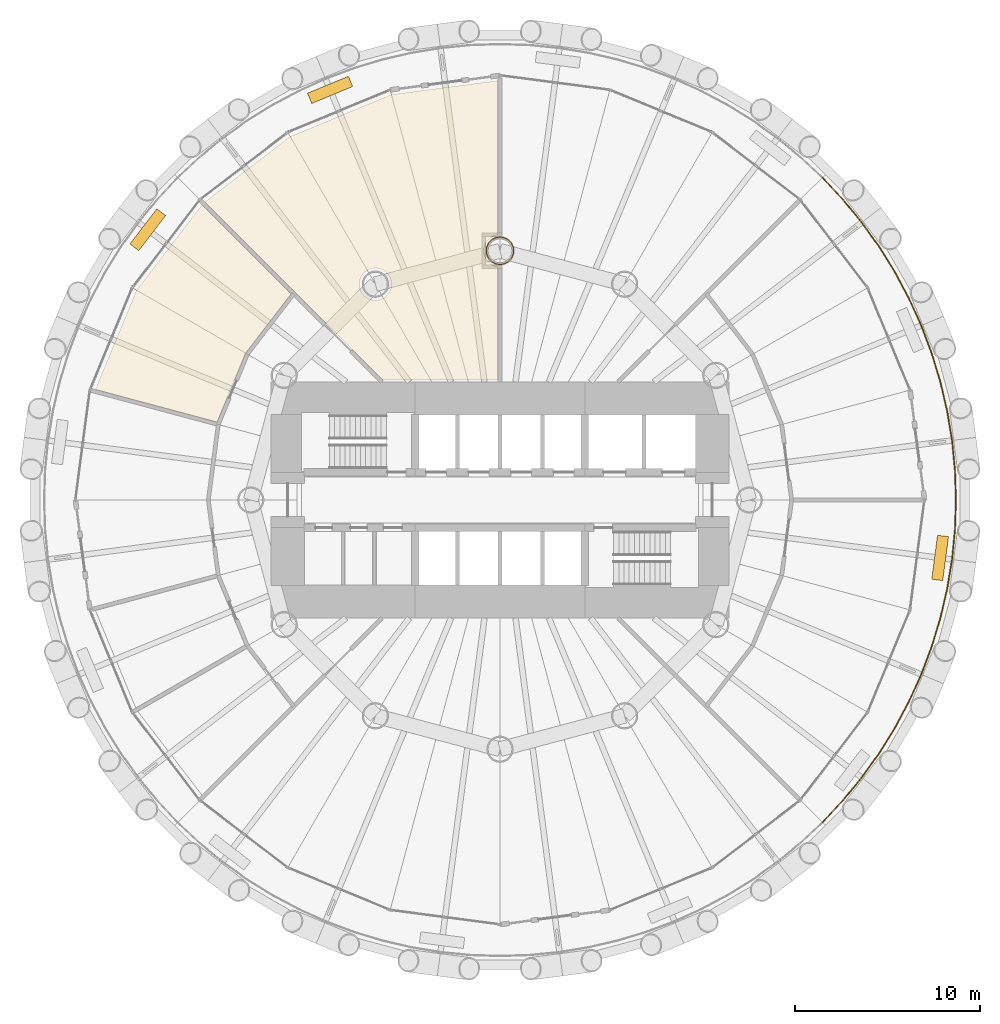
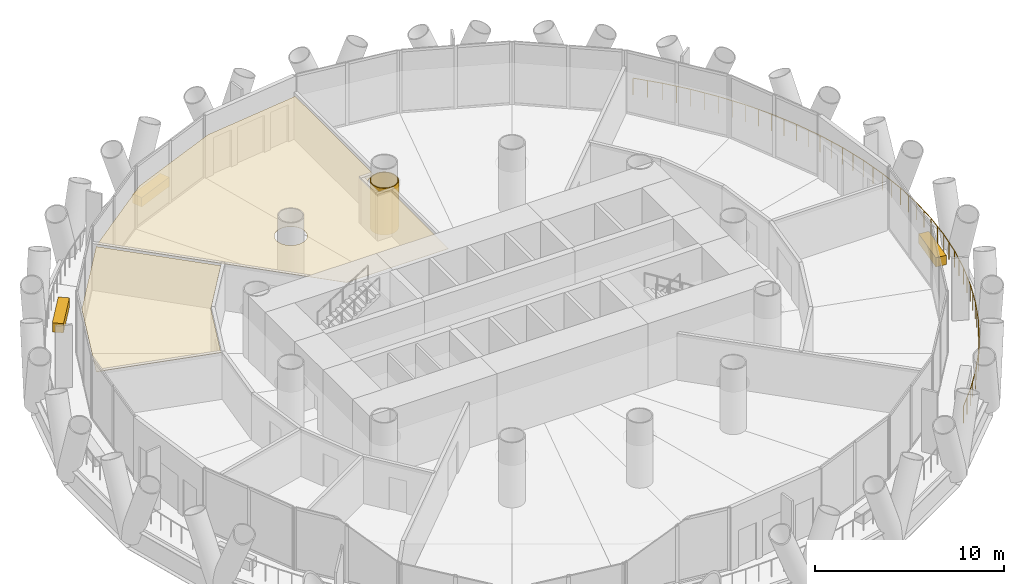
# One storey, part 13 of 14: 6 coverings, 1 railing.
"""IFC4 building model written with IfcOpenShell, lengths in metres."""

from ifc_helpers import new_model, si_unit, direction, frame, origin, origin_2d, place, context, subcontext, project, spatial, polyline, rectangle, circle, outline, extrude, material, layer, layer_set, type_object, element, save


model = new_model("IFC4")

# Units and contexts
model_context = context("Model", 3, precision=1e-05, world=origin(), true_north=direction((0.0, 1.0)))
body_context = subcontext(model_context, "Body", "Model", "MODEL_VIEW")
ifc_project = project(units=[si_unit("LENGTHUNIT", "METRE"), si_unit("AREAUNIT", "SQUARE_METRE"), si_unit("VOLUMEUNIT", "CUBIC_METRE"), si_unit("PLANEANGLEUNIT", "RADIAN"), si_unit("MASSUNIT", "GRAM", prefix="KILO")], contexts=[model_context])

# Site, building, storey
site_placement = place(None, origin())
site = spatial("IfcSite", under=ifc_project, at=site_placement, CompositionType="ELEMENT")
building_placement = place(site_placement, origin())
building = spatial("IfcBuilding", under=site, at=building_placement, Name="Qaws Media Tower", CompositionType="ELEMENT")
storey_placement = place(building_placement, frame((0.0, 0.0, 68.0)))
storey = spatial("IfcBuildingStorey", under=building, at=storey_placement, Name="L14", CompositionType="ELEMENT", Elevation=68.0)

# Railing
ifc_material_1 = material(Name="Stainless steel and glass guard", Category="steel")
railing_type = type_object("IfcRailingType", Name="Balcony guard 1100", PredefinedType="GUARDRAIL", material=ifc_material_1)
railing_placement = place(storey_placement, frame((77.465576171875, 32.534423828125, 0.0)))
element("IfcRailing", 1, at=railing_placement, inside=storey, type_object=railing_type, Name="GR1 balcony guard L14-4", PredefinedType="GUARDRAIL", context=body_context, shape_type="SweptSolid", body=[
    extrude(circle(Radius=0.02392578125, at=origin_2d()), frame((0.0, 0.0, 1.076171875), z_axis=(0.683619507807, 0.729838590748, 0.0), x_axis=(-0.729838590748, 0.683619507807, 0.0)), (0.0, 0.0, 1.0), 1.616455078125),
    extrude(circle(Radius=0.02392578125, at=origin_2d()), frame((1.10498046875, 1.1796875, 1.076171875), z_axis=(0.63437215989, 0.773027789123, 0.0), x_axis=(-0.773027789123, 0.63437215989, 0.0)), (0.0, 0.0, 1.0), 1.616455078125),
    extrude(circle(Radius=0.02392578125, at=origin_2d()), frame((2.13037109375, 2.42919921875, 1.076171875), z_axis=(0.582480684147, 0.81284454393, 0.0), x_axis=(-0.81284454393, 0.582480684147, 0.0)), (0.0, 0.0, 1.0), 1.6162109375),
    extrude(circle(Radius=0.02392578125, at=origin_2d()), frame((3.07177734375, 3.742919921875, 1.076171875), z_axis=(0.528069565675, 0.849201115053, 0.0), x_axis=(-0.849201115053, 0.528069565675, 0.0)), (0.0, 0.0, 1.0), 1.6162109375),
    extrude(circle(Radius=0.02392578125, at=origin_2d()), frame((3.92529296875, 5.115478515625, 1.076171875), z_axis=(0.471395500641, 0.881921925102, 0.0), x_axis=(-0.881921925102, 0.471395500641, 0.0)), (0.0, 0.0, 1.0), 1.616455078125),
    extrude(circle(Radius=0.02392578125, at=origin_2d()), frame((4.687255859375, 6.541015625, 1.076171875), z_axis=(0.412687296227, 0.910872765831, 0.0), x_axis=(-0.910872765831, 0.412687296227, 0.0)), (0.0, 0.0, 1.0), 1.6162109375),
    extrude(circle(Radius=0.02392578125, at=origin_2d()), frame((5.354248046875, 8.01318359375, 1.076171875), z_axis=(0.352199031011, 0.935925126575, 0.0), x_axis=(-0.935925126575, 0.352199031011, 0.0)), (0.0, 0.0, 1.0), 1.616455078125),
    extrude(circle(Radius=0.02392578125, at=origin_2d()), frame((5.923583984375, 9.526123046875, 1.076171875), z_axis=(0.290326003022, 0.956927798723, 0.0), x_axis=(-0.956927798723, 0.290326003022, 0.0)), (0.0, 0.0, 1.0), 1.6162109375),
    extrude(circle(Radius=0.02392578125, at=origin_2d()), frame((6.392822265625, 11.07275390625, 1.076171875), z_axis=(0.227043372937, 0.973884647587, 0.0), x_axis=(-0.973884647587, 0.227043372937, 0.0)), (0.0, 0.0, 1.0), 1.6162109375),
    extrude(circle(Radius=0.02392578125, at=origin_2d()), frame((6.759765625, 12.646728515625, 1.076171875), z_axis=(0.16295388754, 0.986633686094, 0.0), x_axis=(-0.986633686094, 0.16295388754, 0.0)), (0.0, 0.0, 1.0), 1.61669921875),
    extrude(circle(Radius=0.02392578125, at=origin_2d()), frame((7.023193359375, 14.24169921875, 1.076171875), z_axis=(0.098037881252, 0.995182683651, 0.0), x_axis=(-0.995182683651, 0.098037881252, 0.0)), (0.0, 0.0, 1.0), 1.6162109375),
    extrude(circle(Radius=0.02392578125, at=origin_2d()), frame((7.181640625, 15.85009765625, 1.076171875), z_axis=(0.032625813733, 0.999467636434, 0.0), x_axis=(-0.999467636434, 0.032625813733, 0.0)), (0.0, 0.0, 1.0), 1.616455078125),
    extrude(circle(Radius=0.02392578125, at=origin_2d()), frame((7.234375, 17.465576171875, 1.076171875), z_axis=(-0.032625813733, 0.999467636434, 0.0), x_axis=(-0.999467636434, -0.032625813733, 0.0)), (0.0, 0.0, 1.0), 1.616455078125),
    extrude(circle(Radius=0.02392578125, at=origin_2d()), frame((7.181640625, 19.0810546875, 1.076171875), z_axis=(-0.098037881252, 0.995182683651, 0.0), x_axis=(-0.995182683651, -0.098037881252, 0.0)), (0.0, 0.0, 1.0), 1.6162109375),
    extrude(circle(Radius=0.02392578125, at=origin_2d()), frame((7.023193359375, 20.689453125, 1.076171875), z_axis=(-0.16295388754, 0.986633686094, 0.0), x_axis=(-0.986633686094, -0.16295388754, 0.0)), (0.0, 0.0, 1.0), 1.61669921875),
    extrude(circle(Radius=0.02392578125, at=origin_2d()), frame((6.759765625, 22.284423828125, 1.076171875), z_axis=(-0.227043372937, 0.973884647587, 0.0), x_axis=(-0.973884647587, -0.227043372937, 0.0)), (0.0, 0.0, 1.0), 1.6162109375),
    extrude(circle(Radius=0.02392578125, at=origin_2d()), frame((6.392822265625, 23.8583984375, 1.076171875), z_axis=(-0.290326003022, 0.956927798723, 0.0), x_axis=(-0.956927798723, -0.290326003022, 0.0)), (0.0, 0.0, 1.0), 1.6162109375),
    extrude(circle(Radius=0.02392578125, at=origin_2d()), frame((5.923583984375, 25.405029296875, 1.076171875), z_axis=(-0.352199031011, 0.935925126575, 0.0), x_axis=(-0.935925126575, -0.352199031011, 0.0)), (0.0, 0.0, 1.0), 1.616455078125),
    extrude(circle(Radius=0.02392578125, at=origin_2d()), frame((5.354248046875, 26.91796875, 1.076171875), z_axis=(-0.412687296227, 0.910872765831, 0.0), x_axis=(-0.910872765831, -0.412687296227, 0.0)), (0.0, 0.0, 1.0), 1.6162109375),
    extrude(circle(Radius=0.02392578125, at=origin_2d()), frame((4.687255859375, 28.39013671875, 1.076171875), z_axis=(-0.471395500641, 0.881921925102, 0.0), x_axis=(-0.881921925102, -0.471395500641, 0.0)), (0.0, 0.0, 1.0), 1.616455078125),
    extrude(circle(Radius=0.02392578125, at=origin_2d()), frame((3.92529296875, 29.815673828125, 1.076171875), z_axis=(-0.528069565675, 0.849201115053, 0.0), x_axis=(-0.849201115053, -0.528069565675, 0.0)), (0.0, 0.0, 1.0), 1.6162109375),
    extrude(circle(Radius=0.02392578125, at=origin_2d()), frame((3.07177734375, 31.188232421875, 1.076171875), z_axis=(-0.582480684147, 0.81284454393, 0.0), x_axis=(-0.81284454393, -0.582480684147, 0.0)), (0.0, 0.0, 1.0), 1.6162109375),
    extrude(circle(Radius=0.02392578125, at=origin_2d()), frame((2.13037109375, 32.501953125, 1.076171875), z_axis=(-0.63437215989, 0.773027789123, 0.0), x_axis=(-0.773027789123, -0.63437215989, 0.0)), (0.0, 0.0, 1.0), 1.616455078125),
    extrude(circle(Radius=0.02392578125, at=origin_2d()), frame((1.10498046875, 33.75146484375, 1.076171875), z_axis=(-0.683619507807, 0.729838590748, 0.0), x_axis=(-0.729838590748, -0.683619507807, 0.0)), (0.0, 0.0, 1.0), 1.616455078125),
    extrude(circle(Radius=0.02099609375, at=origin_2d()), origin(), (0.0, 0.0, 1.0), 1.052001953125),
    extrude(circle(Radius=0.02099609375, at=origin_2d()), frame((0.552490234375, 0.58984375, 0.0)), (0.0, 0.0, 1.0), 1.052001953125),
    extrude(circle(Radius=0.02099609375, at=origin_2d()), frame((1.10498046875, 1.1796875, 0.0)), (0.0, 0.0, 1.0), 1.052001953125),
    extrude(circle(Radius=0.02099609375, at=origin_2d()), frame((1.61767578125, 1.804443359375, 0.0)), (0.0, 0.0, 1.0), 1.052001953125),
    extrude(circle(Radius=0.02099609375, at=origin_2d()), frame((2.13037109375, 2.42919921875, 0.0)), (0.0, 0.0, 1.0), 1.052001953125),
    extrude(circle(Radius=0.02099609375, at=origin_2d()), frame((2.60107421875, 3.0859375, 0.0)), (0.0, 0.0, 1.0), 1.052001953125),
    extrude(circle(Radius=0.02099609375, at=origin_2d()), frame((3.07177734375, 3.742919921875, 0.0)), (0.0, 0.0, 1.0), 1.052001953125),
    extrude(circle(Radius=0.02099609375, at=origin_2d()), frame((3.49853515625, 4.42919921875, 0.0)), (0.0, 0.0, 1.0), 1.052001953125),
    extrude(circle(Radius=0.02099609375, at=origin_2d()), frame((3.92529296875, 5.115478515625, 0.0)), (0.0, 0.0, 1.0), 1.052001953125),
    extrude(circle(Radius=0.02099609375, at=origin_2d()), frame((4.30615234375, 5.828125, 0.0)), (0.0, 0.0, 1.0), 1.052001953125),
    extrude(circle(Radius=0.02099609375, at=origin_2d()), frame((4.687255859375, 6.541015625, 0.0)), (0.0, 0.0, 1.0), 1.052001953125),
    extrude(circle(Radius=0.02099609375, at=origin_2d()), frame((5.020751953125, 7.277099609375, 0.0)), (0.0, 0.0, 1.0), 1.052001953125),
    extrude(circle(Radius=0.02099609375, at=origin_2d()), frame((5.354248046875, 8.01318359375, 0.0)), (0.0, 0.0, 1.0), 1.052001953125),
    extrude(circle(Radius=0.02099609375, at=origin_2d()), frame((5.638916015625, 8.76953125, 0.0)), (0.0, 0.0, 1.0), 1.052001953125),
    extrude(circle(Radius=0.02099609375, at=origin_2d()), frame((5.923583984375, 9.526123046875, 0.0)), (0.0, 0.0, 1.0), 1.052001953125),
    extrude(circle(Radius=0.02099609375, at=origin_2d()), frame((6.158203125, 10.29931640625, 0.0)), (0.0, 0.0, 1.0), 1.052001953125),
    extrude(circle(Radius=0.02099609375, at=origin_2d()), frame((6.392822265625, 11.07275390625, 0.0)), (0.0, 0.0, 1.0), 1.052001953125),
    extrude(circle(Radius=0.02099609375, at=origin_2d()), frame((6.576171875, 11.85986328125, 0.0)), (0.0, 0.0, 1.0), 1.052001953125),
    extrude(circle(Radius=0.02099609375, at=origin_2d()), frame((6.759765625, 12.646728515625, 0.0)), (0.0, 0.0, 1.0), 1.052001953125),
    extrude(circle(Radius=0.02099609375, at=origin_2d()), frame((6.8916015625, 13.4443359375, 0.0)), (0.0, 0.0, 1.0), 1.052001953125),
    extrude(circle(Radius=0.02099609375, at=origin_2d()), frame((7.023193359375, 14.24169921875, 0.0)), (0.0, 0.0, 1.0), 1.052001953125),
    extrude(circle(Radius=0.02099609375, at=origin_2d()), frame((7.1025390625, 15.0458984375, 0.0)), (0.0, 0.0, 1.0), 1.052001953125),
    extrude(circle(Radius=0.02099609375, at=origin_2d()), frame((7.181640625, 15.85009765625, 0.0)), (0.0, 0.0, 1.0), 1.052001953125),
    extrude(circle(Radius=0.02099609375, at=origin_2d()), frame((7.2080078125, 16.65771484375, 0.0)), (0.0, 0.0, 1.0), 1.052001953125),
    extrude(circle(Radius=0.02099609375, at=origin_2d()), frame((7.234375, 17.465576171875, 0.0)), (0.0, 0.0, 1.0), 1.052001953125),
    extrude(circle(Radius=0.02099609375, at=origin_2d()), frame((7.2080078125, 18.2734375, 0.0)), (0.0, 0.0, 1.0), 1.052001953125),
    extrude(circle(Radius=0.02099609375, at=origin_2d()), frame((7.181640625, 19.0810546875, 0.0)), (0.0, 0.0, 1.0), 1.052001953125),
    extrude(circle(Radius=0.02099609375, at=origin_2d()), frame((7.1025390625, 19.88525390625, 0.0)), (0.0, 0.0, 1.0), 1.052001953125),
    extrude(circle(Radius=0.02099609375, at=origin_2d()), frame((7.023193359375, 20.689453125, 0.0)), (0.0, 0.0, 1.0), 1.052001953125),
    extrude(circle(Radius=0.02099609375, at=origin_2d()), frame((6.8916015625, 21.48681640625, 0.0)), (0.0, 0.0, 1.0), 1.052001953125),
    extrude(circle(Radius=0.02099609375, at=origin_2d()), frame((6.759765625, 22.284423828125, 0.0)), (0.0, 0.0, 1.0), 1.052001953125),
    extrude(circle(Radius=0.02099609375, at=origin_2d()), frame((6.576171875, 23.0712890625, 0.0)), (0.0, 0.0, 1.0), 1.052001953125),
    extrude(circle(Radius=0.02099609375, at=origin_2d()), frame((6.392822265625, 23.8583984375, 0.0)), (0.0, 0.0, 1.0), 1.052001953125),
    extrude(circle(Radius=0.02099609375, at=origin_2d()), frame((6.158203125, 24.6318359375, 0.0)), (0.0, 0.0, 1.0), 1.052001953125),
    extrude(circle(Radius=0.02099609375, at=origin_2d()), frame((5.923583984375, 25.405029296875, 0.0)), (0.0, 0.0, 1.0), 1.052001953125),
    extrude(circle(Radius=0.02099609375, at=origin_2d()), frame((5.638916015625, 26.16162109375, 0.0)), (0.0, 0.0, 1.0), 1.052001953125),
    extrude(circle(Radius=0.02099609375, at=origin_2d()), frame((5.354248046875, 26.91796875, 0.0)), (0.0, 0.0, 1.0), 1.052001953125),
    extrude(circle(Radius=0.02099609375, at=origin_2d()), frame((5.020751953125, 27.654052734375, 0.0)), (0.0, 0.0, 1.0), 1.052001953125),
    extrude(circle(Radius=0.02099609375, at=origin_2d()), frame((4.687255859375, 28.39013671875, 0.0)), (0.0, 0.0, 1.0), 1.052001953125),
    extrude(circle(Radius=0.02099609375, at=origin_2d()), frame((4.30615234375, 29.10302734375, 0.0)), (0.0, 0.0, 1.0), 1.052001953125),
    extrude(circle(Radius=0.02099609375, at=origin_2d()), frame((3.92529296875, 29.815673828125, 0.0)), (0.0, 0.0, 1.0), 1.052001953125),
    extrude(circle(Radius=0.02099609375, at=origin_2d()), frame((3.49853515625, 30.501953125, 0.0)), (0.0, 0.0, 1.0), 1.052001953125),
    extrude(circle(Radius=0.02099609375, at=origin_2d()), frame((3.07177734375, 31.188232421875, 0.0)), (0.0, 0.0, 1.0), 1.052001953125),
    extrude(circle(Radius=0.02099609375, at=origin_2d()), frame((2.60107421875, 31.84521484375, 0.0)), (0.0, 0.0, 1.0), 1.052001953125),
    extrude(circle(Radius=0.02099609375, at=origin_2d()), frame((2.13037109375, 32.501953125, 0.0)), (0.0, 0.0, 1.0), 1.052001953125),
    extrude(circle(Radius=0.02099609375, at=origin_2d()), frame((1.61767578125, 33.126708984375, 0.0)), (0.0, 0.0, 1.0), 1.052001953125),
    extrude(circle(Radius=0.02099609375, at=origin_2d()), frame((1.10498046875, 33.75146484375, 0.0)), (0.0, 0.0, 1.0), 1.052001953125),
    extrude(circle(Radius=0.02099609375, at=origin_2d()), frame((0.552490234375, 34.34130859375, 0.0)), (0.0, 0.0, 1.0), 1.052001953125),
    extrude(circle(Radius=0.02099609375, at=origin_2d()), frame((0.0, 34.93115234375, 0.0)), (0.0, 0.0, 1.0), 1.052001953125),
])

# Coverings
ifc_material_2 = material(Name="Two layers 15 fire-rated gypsum board on steel framing", Category="steel")
ifc_layer_1 = layer(ifc_material_2, 0.050048828125)
ifc_layer_set_1 = layer_set([ifc_layer_1], Name="Column fire casing")
covering_type_1 = type_object("IfcCoveringType", Name="Column fire casing", PredefinedType="CLADDING", material=ifc_layer_set_1)
covering_1_placement = place(storey_placement, origin())
element("IfcCovering", 2, at=covering_1_placement, inside=storey, type_object=covering_type_1, Name="CC1 column casing L14", PredefinedType="CLADDING", context=body_context, shape_type="SweptSolid", body=[
    extrude(outline(polyline([(60.76611328125, 63.5), (60.759521484375, 63.39990234375), (60.739990234375, 63.3017578125), (60.707763671875, 63.206787109375), (60.663330078125, 63.116943359375), (60.607666015625, 63.03369140625), (60.54150390625, 62.95849609375), (60.46630859375, 62.892333984375), (60.383056640625, 62.836669921875), (60.293212890625, 62.792236328125), (60.1982421875, 62.760009765625), (60.10009765625, 62.740478515625), (60.0, 62.73388671875), (59.89990234375, 62.740478515625), (59.8017578125, 62.760009765625), (59.706787109375, 62.792236328125), (59.616943359375, 62.836669921875), (59.53369140625, 62.892333984375), (59.45849609375, 62.95849609375), (59.392333984375, 63.03369140625), (59.336669921875, 63.116943359375), (59.292236328125, 63.206787109375), (59.260009765625, 63.3017578125), (59.240478515625, 63.39990234375), (59.23388671875, 63.5), (59.240478515625, 63.60009765625), (59.260009765625, 63.6982421875), (59.292236328125, 63.793212890625), (59.336669921875, 63.883056640625), (59.392333984375, 63.96630859375), (59.45849609375, 64.04150390625), (59.53369140625, 64.107666015625), (59.616943359375, 64.163330078125), (59.706787109375, 64.207763671875), (59.8017578125, 64.239990234375), (59.89990234375, 64.259521484375), (60.0, 64.26611328125), (60.10009765625, 64.259521484375), (60.1982421875, 64.239990234375), (60.293212890625, 64.207763671875), (60.383056640625, 64.163330078125), (60.46630859375, 64.107666015625), (60.54150390625, 64.04150390625), (60.607666015625, 63.96630859375), (60.663330078125, 63.883056640625), (60.707763671875, 63.793212890625), (60.739990234375, 63.6982421875), (60.759521484375, 63.60009765625), (60.76611328125, 63.5)]), holes=[polyline([(60.714111328125, 63.5), (60.7080078125, 63.40673828125), (60.689697265625, 63.315185546875), (60.65966796875, 63.226806640625), (60.618408203125, 63.14306640625), (60.56640625, 63.065185546875), (60.5048828125, 62.9951171875), (60.434814453125, 62.93359375), (60.35693359375, 62.881591796875), (60.273193359375, 62.84033203125), (60.184814453125, 62.810302734375), (60.09326171875, 62.7919921875), (60.0, 62.785888671875), (59.90673828125, 62.7919921875), (59.815185546875, 62.810302734375), (59.726806640625, 62.84033203125), (59.64306640625, 62.881591796875), (59.565185546875, 62.93359375), (59.4951171875, 62.9951171875), (59.43359375, 63.065185546875), (59.381591796875, 63.14306640625), (59.34033203125, 63.226806640625), (59.310302734375, 63.315185546875), (59.2919921875, 63.40673828125), (59.285888671875, 63.5), (59.2919921875, 63.59326171875), (59.310302734375, 63.684814453125), (59.34033203125, 63.773193359375), (59.381591796875, 63.85693359375), (59.43359375, 63.934814453125), (59.4951171875, 64.0048828125), (59.565185546875, 64.06640625), (59.64306640625, 64.118408203125), (59.726806640625, 64.15966796875), (59.815185546875, 64.189697265625), (59.90673828125, 64.2080078125), (60.0, 64.214111328125), (60.09326171875, 64.2080078125), (60.184814453125, 64.189697265625), (60.273193359375, 64.15966796875), (60.35693359375, 64.118408203125), (60.434814453125, 64.06640625), (60.5048828125, 64.0048828125), (60.56640625, 63.934814453125), (60.618408203125, 63.85693359375), (60.65966796875, 63.773193359375), (60.689697265625, 63.684814453125), (60.7080078125, 63.59326171875), (60.714111328125, 63.5)])]), origin(), (0.0, 0.0, 1.0), 3.02001953125),
])
ifc_material_3 = material(Name="600 x 600 mineral fibre tiles in exposed grid, suspended", Category="mineral fibre")
ifc_layer_2 = layer(ifc_material_3, 0.02001953125)
ifc_layer_set_2 = layer_set([ifc_layer_2], Name="Mineral fibre tile ceiling 20")
covering_type_2 = type_object("IfcCoveringType", Name="Mineral fibre tile ceiling 20", PredefinedType="CEILING", material=ifc_layer_set_2)
covering_2_placement = place(storey_placement, frame((0.0, 0.0, 2.85009765625)))
element("IfcCovering", 3, at=covering_2_placement, inside=storey, type_object=covering_type_2, Name="CL1 ceiling L14-04 Social media desk", PredefinedType="CEILING", context=body_context, shape_type="SweptSolid", body=[
    extrude(outline(polyline([(48.63232421875, 69.689208984375), (54.11572265625, 71.960693359375), (59.887451171875, 72.720458984375), (59.887451171875, 64.363525390625), (59.774658203125, 64.34130859375), (59.666748046875, 64.3046875), (59.564453125, 64.25439453125), (59.4697265625, 64.19091796875), (59.384033203125, 64.115966796875), (59.30908203125, 64.0302734375), (59.24560546875, 63.935546875), (59.1953125, 63.833251953125), (59.15869140625, 63.725341796875), (59.136474609375, 63.61376953125), (59.12890625, 63.5), (59.136474609375, 63.38623046875), (59.15869140625, 63.274658203125), (59.1953125, 63.166748046875), (59.24560546875, 63.064453125), (59.30908203125, 62.9697265625), (59.384033203125, 62.884033203125), (59.4697265625, 62.80908203125), (59.564453125, 62.74560546875), (59.666748046875, 62.6953125), (59.774658203125, 62.65869140625), (59.887451171875, 62.636474609375), (59.887451171875, 56.512451171875), (53.646484375, 56.512451171875), (44.013916015625, 66.145263671875), (48.63232421875, 69.689208984375)]), holes=[polyline([(54.0546875, 61.35791015625), (54.09130859375, 61.4658203125), (54.113525390625, 61.57763671875), (54.12109375, 61.69140625), (54.113525390625, 61.804931640625), (54.09130859375, 61.916748046875), (54.0546875, 62.024658203125), (54.00439453125, 62.126708984375), (53.94091796875, 62.2216796875), (53.865966796875, 62.30712890625), (53.7802734375, 62.38232421875), (53.685546875, 62.44580078125), (53.583251953125, 62.49609375), (53.475341796875, 62.53271484375), (53.36376953125, 62.554931640625), (53.25, 62.562255859375), (53.13623046875, 62.554931640625), (53.024658203125, 62.53271484375), (52.916748046875, 62.49609375), (52.814453125, 62.44580078125), (52.7197265625, 62.38232421875), (52.634033203125, 62.30712890625), (52.55908203125, 62.2216796875), (52.49560546875, 62.126708984375), (52.4453125, 62.024658203125), (52.40869140625, 61.916748046875), (52.386474609375, 61.804931640625), (52.37890625, 61.69140625), (52.386474609375, 61.57763671875), (52.40869140625, 61.4658203125), (52.4453125, 61.35791015625), (52.49560546875, 61.255859375), (52.55908203125, 61.1611328125), (52.634033203125, 61.075439453125), (52.7197265625, 61.000244140625), (52.814453125, 60.93701171875), (52.916748046875, 60.88671875), (53.024658203125, 60.85009765625), (53.13623046875, 60.827880859375), (53.25, 60.8203125), (53.36376953125, 60.827880859375), (53.475341796875, 60.85009765625), (53.583251953125, 60.88671875), (53.685546875, 60.93701171875), (53.7802734375, 61.000244140625), (53.865966796875, 61.075439453125), (53.94091796875, 61.1611328125), (54.00439453125, 61.255859375), (54.0546875, 61.35791015625)])]), origin(), (0.0, 0.0, 1.0), 0.02001953125),
])
covering_3_placement = place(storey_placement, frame((0.0, 0.0, 2.85009765625)))
element("IfcCovering", 4, at=covering_3_placement, inside=storey, type_object=covering_type_2, Name="CL1 ceiling L14-05 Graphics studio", PredefinedType="CEILING", context=body_context, shape_type="SweptSolid", body=[
    extrude(outline(polyline([(40.310791015625, 61.36767578125), (43.854736328125, 65.986083984375), (48.678466796875, 61.16259765625), (46.218505859375, 57.956787109375), (44.672119140625, 54.223388671875), (38.0830078125, 55.989013671875), (40.310791015625, 61.36767578125)])), origin(), (0.0, 0.0, 1.0), 0.02001953125),
])
ifc_material_4 = material(Name="Precast concrete planter with trailing planting", Category="concrete")
ifc_layer_3 = layer(ifc_material_4, 0.60009765625)
ifc_layer_set_3 = layer_set([ifc_layer_3], Name="Planter 2400x600")
covering_type_3 = type_object("IfcCoveringType", Name="Planter 2400x600", PredefinedType="USERDEFINED", material=ifc_layer_set_3)
for number, where, z_axis, x_axis, name in (
    (5, (50.79638671875, 72.21923828125, 0.0), (0.0, 0.0, 1.0), (-0.923879532511, -0.382683432365, 0.0), "PL1 balcony planter L14-04"),
    (6, (40.919921875, 64.640625, 0.0), (0.0, 0.0, 1.0), (-0.608761429009, -0.793353340291, 0.0), "PL1 balcony planter L14-05"),
    (7, (83.84423828125, 46.86083984375, 0.0), (0.0, 0.0, 1.0), (0.13052619222, 0.991444861374, 0.0), "PL1 balcony planter L14-12"),
):
    element("IfcCovering", number, at=place(storey_placement, frame(where, z_axis=z_axis, x_axis=x_axis)), inside=storey, type_object=covering_type_3, Name=name, ObjectType="PLANTER", PredefinedType="USERDEFINED", context=body_context, shape_type="SweptSolid", body=[
        extrude(rectangle(XDim=2.39990234375, YDim=0.60009765625, at=origin_2d()), origin(), (0.0, 0.0, 1.0), 0.60009765625),
    ])

save(model, "model.ifc")
